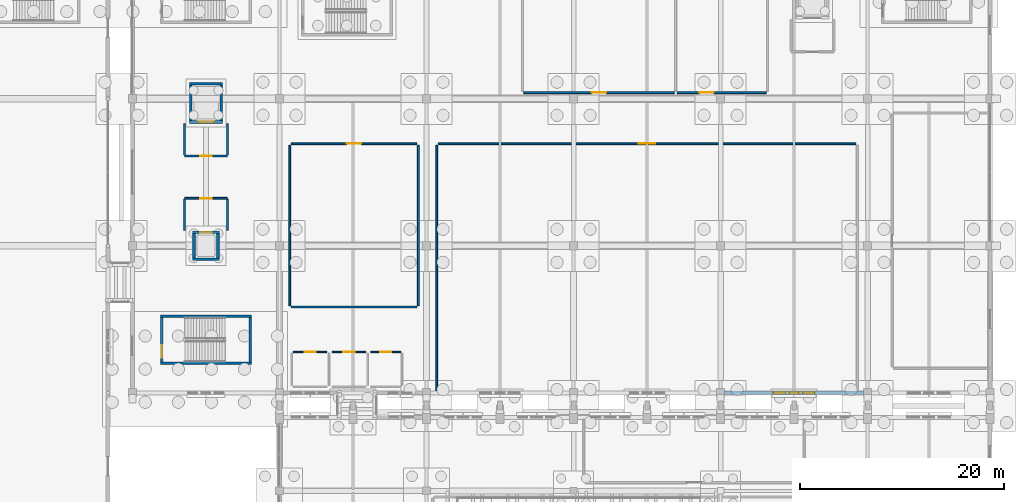
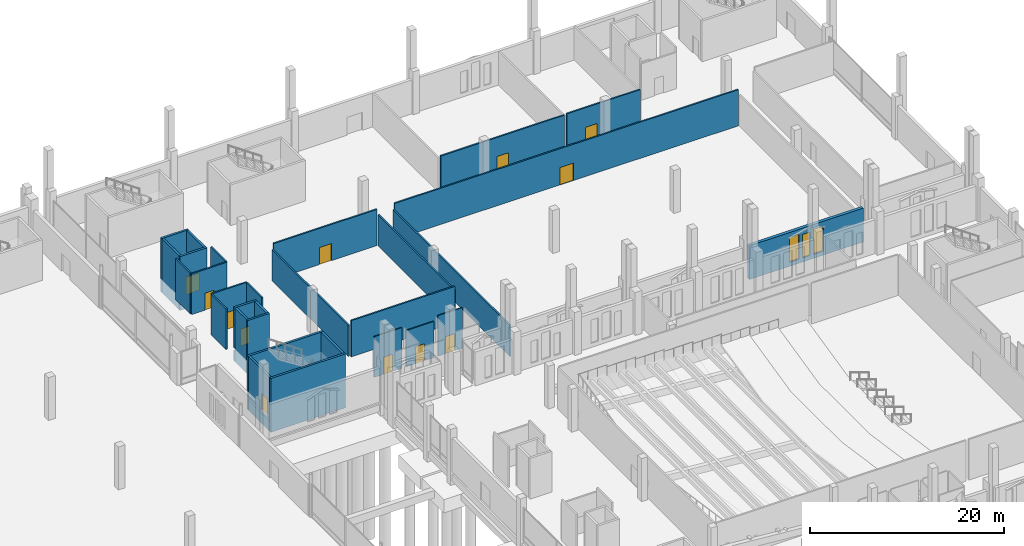
# One storey, part 146 of 192: 33 walls, 12 doors, 3 windows, 15 openings.
"""IFC4 building model written with IfcOpenShell, lengths in metres."""

from ifc_helpers import new_model, si_unit, direction, frame, frame_2d, origin, place, context, subcontext, project, spatial, rectangle, extrude, material, layer, layer_set, type_object, element, fill, save


model = new_model("IFC4")

# Units and contexts
model_context = context("Model", 3, precision=1e-05, world=origin(), true_north=direction((0.0, 1.0)))
body_context = subcontext(model_context, "Body", "Model", "MODEL_VIEW")
ifc_project = project(units=[si_unit("LENGTHUNIT", "METRE"), si_unit("AREAUNIT", "SQUARE_METRE"), si_unit("VOLUMEUNIT", "CUBIC_METRE"), si_unit("PLANEANGLEUNIT", "RADIAN"), si_unit("MASSUNIT", "GRAM", prefix="KILO")], contexts=[model_context])

# Site, building, storey
site_placement = place(None, origin())
site = spatial("IfcSite", under=ifc_project, at=site_placement, CompositionType="ELEMENT")
building_placement = place(site_placement, origin())
building = spatial("IfcBuilding", under=site, at=building_placement, Name="Cendralis Lancet Convention Centre", CompositionType="ELEMENT")
storey_placement = place(building_placement, origin())
storey = spatial("IfcBuildingStorey", under=building, at=storey_placement, Name="L00", CompositionType="ELEMENT", Elevation=0.0)

# Wall, openings, windows
ifc_material_1 = material(Name="Buff sandstone ashlar and Concrete G40 (C40/50)", Category="masonry")
ifc_layer_1 = layer(ifc_material_1, 0.360107421875, Name="Buff sandstone ashlar and Concrete G40 (C40/50)")
ifc_layer_set_1 = layer_set([ifc_layer_1], Name="Buff sandstone ashlar and Concrete G40 (C40/50)")
wall_type_1 = type_object("IfcWallType", Name="ARC-EW-W360", PredefinedType="STANDARD", material=ifc_layer_set_1)
wall_1_placement = place(storey_placement, frame((196.39208984375, 93.60009765625, 0.0), z_axis=(0.0, 0.0, 1.0), x_axis=(-1.0, 0.0, 0.0)))
wall_1 = element("IfcWall", 1, at=wall_1_placement, inside=storey, type_object=wall_type_1, Name="L00 V3 Exterior Wall EW-04 #0138", PredefinedType="STANDARD", context=body_context, shape_type="SweptSolid", body=[
    extrude(rectangle(XDim=13.583984375, YDim=0.360107421875, at=frame_2d((6.7919921875, 0.0))), origin(), (0.0, 0.0, 1.0), 4.2548828125),
])
opening_1_placement = place(wall_1_placement, frame((4.77197265625, 0.0, 0.5)))
opening_1 = element("IfcOpeningElement", 2, at=opening_1_placement, cuts=wall_1, Name="Opening WN-13", PredefinedType="OPENING", context=body_context, shape_type="SweptSolid", body=[
    extrude(rectangle(XDim=1.159912109375, YDim=3.14990234375, at=frame_2d((0.580078125, 1.574951171875))), frame((0.0, 0.18994140625, 0.0), z_axis=(0.0, -1.0, 0.0), x_axis=(1.0, 0.0, 0.0)), (0.0, 0.0, 1.0), 0.380126953125),
])
opening_2_placement = place(wall_1_placement, frame((6.35205078125, 0.0, 0.5)))
opening_2 = element("IfcOpeningElement", 3, at=opening_2_placement, cuts=wall_1, Name="Opening WN-08", PredefinedType="OPENING", context=body_context, shape_type="SweptSolid", body=[
    extrude(rectangle(XDim=0.8798828125, YDim=2.949951171875, at=frame_2d((0.43994140625, 1.47509765625))), frame((0.0, 0.18994140625, 0.0), z_axis=(0.0, -1.0, 0.0), x_axis=(1.0, 0.0, 0.0)), (0.0, 0.0, 1.0), 0.380126953125),
])
opening_3_placement = place(wall_1_placement, frame((7.652099609375, 0.0, 0.5)))
opening_3 = element("IfcOpeningElement", 4, at=opening_3_placement, cuts=wall_1, Name="Opening WN-13", PredefinedType="OPENING", context=body_context, shape_type="SweptSolid", body=[
    extrude(rectangle(XDim=1.159912109375, YDim=3.14990234375, at=frame_2d((0.580078125, 1.574951171875))), frame((0.0, 0.18994140625, 0.0), z_axis=(0.0, -1.0, 0.0), x_axis=(1.0, 0.0, 0.0)), (0.0, 0.0, 1.0), 0.380126953125),
])
ifc_material_2 = material(Name="Double-glazed low-E solar-control glass", Category="glass")
window_type_1 = type_object("IfcWindowType", Name="ARC-WN-LW08", PartitioningType="SINGLE_PANEL", PredefinedType="WINDOW", material=ifc_material_2)
window_1_placement = place(opening_2_placement, origin())
window_1 = element("IfcWindow", 5, at=window_1_placement, inside=storey, type_object=window_type_1, Name="Gothic Lancet Window WN-08 #0267", OverallHeight=2.949951171875, OverallWidth=0.8798828125, PartitioningType="SINGLE_PANEL", PredefinedType="WINDOW", context=body_context, shape_type="SweptSolid", body=[
    extrude(rectangle(XDim=0.8798828125, YDim=2.949951171875, at=frame_2d((0.43994140625, 1.47509765625))), frame((0.0, 0.030029296875, 0.0), z_axis=(0.0, -1.0, 0.0), x_axis=(1.0, 0.0, 0.0)), (0.0, 0.0, 1.0), 0.06005859375),
])
fill(opening_2, window_1)
window_type_2 = type_object("IfcWindowType", Name="ARC-WN-LW13", PartitioningType="SINGLE_PANEL", PredefinedType="WINDOW", material=ifc_material_2)
window_2_placement = place(opening_1_placement, origin())
window_2 = element("IfcWindow", 6, at=window_2_placement, inside=storey, type_object=window_type_2, Name="Gothic Lancet Window WN-13 #0266", OverallHeight=3.14990234375, OverallWidth=1.159912109375, PartitioningType="SINGLE_PANEL", PredefinedType="WINDOW", context=body_context, shape_type="SweptSolid", body=[
    extrude(rectangle(XDim=1.159912109375, YDim=3.14990234375, at=frame_2d((0.580078125, 1.574951171875))), frame((0.0, 0.030029296875, 0.0), z_axis=(0.0, -1.0, 0.0), x_axis=(1.0, 0.0, 0.0)), (0.0, 0.0, 1.0), 0.06005859375),
])
fill(opening_1, window_2)
window_3_placement = place(opening_3_placement, origin())
window_3 = element("IfcWindow", 7, at=window_3_placement, inside=storey, type_object=window_type_2, Name="Gothic Lancet Window WN-13 #0268", OverallHeight=3.14990234375, OverallWidth=1.159912109375, PartitioningType="SINGLE_PANEL", PredefinedType="WINDOW", context=body_context, shape_type="SweptSolid", body=[
    extrude(rectangle(XDim=1.159912109375, YDim=3.14990234375, at=frame_2d((0.580078125, 1.574951171875))), frame((0.0, 0.030029296875, 0.0), z_axis=(0.0, -1.0, 0.0), x_axis=(1.0, 0.0, 0.0)), (0.0, 0.0, 1.0), 0.06005859375),
])
fill(opening_3, window_3)

# Wall, opening, door
ifc_material_3 = material(Name="Acoustic fire-rated gypsum board on steel studs", Category="steel")
ifc_layer_2 = layer(ifc_material_3, 0.1201171875, Name="Acoustic fire-rated gypsum board on steel studs")
ifc_layer_set_2 = layer_set([ifc_layer_2], Name="Acoustic fire-rated gypsum board on steel studs")
wall_type_2 = type_object("IfcWallType", Name="ARC-IW-P120", PredefinedType="PARTITIONING", material=ifc_layer_set_2)
wall_2_placement = place(storey_placement, frame((140.550048828125, 97.60009765625, 0.0), z_axis=(0.0, 0.0, 1.0), x_axis=(1.0, 0.0, 0.0)))
wall_2 = element("IfcWall", 8, at=wall_2_placement, inside=storey, type_object=wall_type_2, Name="L00 Interior Partition IW-05 #0150", PredefinedType="PARTITIONING", context=body_context, shape_type="SweptSolid", body=[
    extrude(rectangle(XDim=3.300048828125, YDim=0.1201171875, at=frame_2d((1.64990234375, 0.0))), origin(), (0.0, 0.0, 1.0), 5.10498046875),
])
opening_4_placement = place(wall_2_placement, frame((1.10009765625, 0.0, 0.0)))
opening_4 = element("IfcOpeningElement", 9, at=opening_4_placement, cuts=wall_2, Name="Opening FD-11", PredefinedType="OPENING", context=body_context, shape_type="SweptSolid", body=[
    extrude(rectangle(XDim=1.10009765625, YDim=2.14990234375, at=frame_2d((0.550048828125, 1.074951171875))), frame((0.0, 0.070068359375, 0.0), z_axis=(0.0, -1.0, 0.0), x_axis=(1.0, 0.0, 0.0)), (0.0, 0.0, 1.0), 0.14013671875),
])
ifc_material_4 = material(Name="Steel S355", Category="steel")
door_type_1 = type_object("IfcDoorType", Name="ARC-DR-FF11", OperationType="NOTDEFINED", PredefinedType="DOOR", material=ifc_material_4)
door_1_placement = place(opening_4_placement, origin())
door_1 = element("IfcDoor", 10, at=door_1_placement, inside=storey, type_object=door_type_1, Name="L00-D071 L00 Interior Door FD-11 #0050", OperationType="SINGLE_SWING_RIGHT", OverallHeight=2.14990234375, OverallWidth=1.10009765625, PredefinedType="DOOR", context=body_context, shape_type="SweptSolid", body=[
    extrude(rectangle(XDim=1.10009765625, YDim=2.14990234375, at=frame_2d((0.550048828125, 1.074951171875))), frame((0.0, 0.02490234375, 0.0), z_axis=(0.0, -1.0, 0.0), x_axis=(1.0, 0.0, 0.0)), (0.0, 0.0, 1.0), 0.050048828125),
])
fill(opening_4, door_1)

wall_3_placement = place(storey_placement, frame((144.35009765625, 97.60009765625, 0.0), z_axis=(0.0, 0.0, 1.0), x_axis=(1.0, 0.0, 0.0)))
wall_3 = element("IfcWall", 11, at=wall_3_placement, inside=storey, type_object=wall_type_2, Name="L00 Interior Partition IW-05 #0154", PredefinedType="PARTITIONING", context=body_context, shape_type="SweptSolid", body=[
    extrude(rectangle(XDim=3.2998046875, YDim=0.1201171875, at=frame_2d((1.64990234375, 0.0))), origin(), (0.0, 0.0, 1.0), 4.554931640625),
])
opening_5_placement = place(wall_3_placement, frame((1.10009765625, 0.0, 0.0)))
opening_5 = element("IfcOpeningElement", 12, at=opening_5_placement, cuts=wall_3, Name="Opening FD-11", PredefinedType="OPENING", context=body_context, shape_type="SweptSolid", body=[
    extrude(rectangle(XDim=1.10009765625, YDim=2.14990234375, at=frame_2d((0.550048828125, 1.074951171875))), frame((0.0, 0.070068359375, 0.0), z_axis=(0.0, -1.0, 0.0), x_axis=(1.0, 0.0, 0.0)), (0.0, 0.0, 1.0), 0.14013671875),
])
door_2_placement = place(opening_5_placement, frame((1.10009765625, 0.0, 0.0), z_axis=(0.0, 0.0, 1.0), x_axis=(-1.0, 0.0, 0.0)))
door_2 = element("IfcDoor", 13, at=door_2_placement, inside=storey, type_object=door_type_1, Name="L00-D072 L00 Interior Door FD-11 #0051", OperationType="SINGLE_SWING_LEFT", OverallHeight=2.14990234375, OverallWidth=1.10009765625, PredefinedType="DOOR", context=body_context, shape_type="SweptSolid", body=[
    extrude(rectangle(XDim=1.10009765625, YDim=2.14990234375, at=frame_2d((0.550048828125, 1.074951171875))), frame((0.0, 0.02490234375, 0.0), z_axis=(0.0, -1.0, 0.0), x_axis=(1.0, 0.0, 0.0)), (0.0, 0.0, 1.0), 0.050048828125),
])
fill(opening_5, door_2)

wall_4_placement = place(storey_placement, frame((148.14990234375, 97.60009765625, 0.0), z_axis=(0.0, 0.0, 1.0), x_axis=(1.0, 0.0, 0.0)))
wall_4 = element("IfcWall", 14, at=wall_4_placement, inside=storey, type_object=wall_type_2, Name="L00 Interior Partition IW-05 #0157", PredefinedType="PARTITIONING", context=body_context, shape_type="SweptSolid", body=[
    extrude(rectangle(XDim=2.900146484375, YDim=0.1201171875, at=frame_2d((1.4501953125, 0.0))), origin(), (0.0, 0.0, 1.0), 5.10498046875),
])
opening_6_placement = place(wall_4_placement, frame((0.89990234375, 0.0, 0.0)))
opening_6 = element("IfcOpeningElement", 15, at=opening_6_placement, cuts=wall_4, Name="Opening FD-11", PredefinedType="OPENING", context=body_context, shape_type="SweptSolid", body=[
    extrude(rectangle(XDim=1.10009765625, YDim=2.14990234375, at=frame_2d((0.550048828125, 1.074951171875))), frame((0.0, 0.070068359375, 0.0), z_axis=(0.0, -1.0, 0.0), x_axis=(1.0, 0.0, 0.0)), (0.0, 0.0, 1.0), 0.14013671875),
])
door_3_placement = place(opening_6_placement, origin())
door_3 = element("IfcDoor", 16, at=door_3_placement, inside=storey, type_object=door_type_1, Name="L00-D073 L00 Interior Door FD-11 #0052", OperationType="SINGLE_SWING_RIGHT", OverallHeight=2.14990234375, OverallWidth=1.10009765625, PredefinedType="DOOR", context=body_context, shape_type="SweptSolid", body=[
    extrude(rectangle(XDim=1.10009765625, YDim=2.14990234375, at=frame_2d((0.550048828125, 1.074951171875))), frame((0.0, 0.02490234375, 0.0), z_axis=(0.0, -1.0, 0.0), x_axis=(1.0, 0.0, 0.0)), (0.0, 0.0, 1.0), 0.050048828125),
])
fill(opening_6, door_3)

ifc_layer_3 = layer(ifc_material_3, 0.179931640625, Name="Acoustic fire-rated gypsum board on steel studs")
ifc_layer_set_3 = layer_set([ifc_layer_3], Name="Acoustic fire-rated gypsum board on steel studs")
wall_type_3 = type_object("IfcWallType", Name="ARC-IW-P180", PredefinedType="PARTITIONING", material=ifc_layer_set_3)
wall_5_placement = place(storey_placement, frame((129.89990234375, 112.64990234375, 0.0), z_axis=(0.0, 0.0, 1.0), x_axis=(1.0, 0.0, 0.0)))
wall_5 = element("IfcWall", 17, at=wall_5_placement, inside=storey, type_object=wall_type_3, Name="L00 Lift Lobby LP-07 Front Wall", PredefinedType="PARTITIONING", context=body_context, shape_type="SweptSolid", body=[
    extrude(rectangle(XDim=4.2001953125, YDim=0.179931640625, at=frame_2d((2.10009765625, 0.0))), origin(), (0.0, 0.0, 1.0), 5.1201171875),
])
opening_7_placement = place(wall_5_placement, frame((1.550048828125, 0.0, 0.0)))
opening_7 = element("IfcOpeningElement", 18, at=opening_7_placement, cuts=wall_5, Name="Opening FD-11", PredefinedType="OPENING", context=body_context, shape_type="SweptSolid", body=[
    extrude(rectangle(XDim=1.10009765625, YDim=2.14990234375, at=frame_2d((0.550048828125, 1.074951171875))), frame((0.0, 0.099853515625, 0.0), z_axis=(0.0, -1.0, 0.0), x_axis=(1.0, 0.0, 0.0)), (0.0, 0.0, 1.0), 0.199951171875),
])
door_4_placement = place(opening_7_placement, origin())
door_4 = element("IfcDoor", 19, at=door_4_placement, inside=storey, type_object=door_type_1, Name="L00-D116 L00 Lift Lobby LP-07 Fire Door", OperationType="SINGLE_SWING_RIGHT", OverallHeight=2.14990234375, OverallWidth=1.10009765625, PredefinedType="DOOR", context=body_context, shape_type="SweptSolid", body=[
    extrude(rectangle(XDim=1.10009765625, YDim=2.14990234375, at=frame_2d((0.550048828125, 1.074951171875))), frame((0.0, 0.02490234375, 0.0), z_axis=(0.0, -1.0, 0.0), x_axis=(1.0, 0.0, 0.0)), (0.0, 0.0, 1.0), 0.050048828125),
])
fill(opening_7, door_4)

# Walls
for number, where, z_axis, x_axis, name in (
    (20, (129.89990234375, 109.5, 0.0), (0.0, 0.0, 1.0), (0.0, 1.0, 0.0), "L00 Lift Lobby LP-07 West Wall"),
    (21, (134.10009765625, 109.5, 0.0), (0.0, 0.0, 1.0), (0.0, 1.0, 0.0), "L00 Lift Lobby LP-07 East Wall"),
):
    element("IfcWall", number, at=place(storey_placement, frame(where, z_axis=z_axis, x_axis=x_axis)), inside=storey, type_object=wall_type_3, Name=name, PredefinedType="PARTITIONING", context=body_context, shape_type="SweptSolid", body=[
        extrude(rectangle(XDim=3.050048828125, YDim=0.179931640625, at=frame_2d((1.52490234375, 0.0))), origin(), (0.0, 0.0, 1.0), 5.1201171875),
    ])

# Wall, opening, door
wall_6_placement = place(storey_placement, frame((134.10009765625, 116.800048828125, 0.0), z_axis=(0.0, 0.0, 1.0), x_axis=(-1.0, 0.0, 0.0)))
wall_6 = element("IfcWall", 22, at=wall_6_placement, inside=storey, type_object=wall_type_3, Name="L00 Lift Lobby LG-02 Front Wall", PredefinedType="PARTITIONING", context=body_context, shape_type="SweptSolid", body=[
    extrude(rectangle(XDim=4.2001953125, YDim=0.179931640625, at=frame_2d((2.10009765625, 0.0))), origin(), (0.0, 0.0, 1.0), 5.1201171875),
])
opening_8_placement = place(wall_6_placement, frame((1.550048828125, 0.0, 0.0)))
opening_8 = element("IfcOpeningElement", 23, at=opening_8_placement, cuts=wall_6, Name="Opening FD-11", PredefinedType="OPENING", context=body_context, shape_type="SweptSolid", body=[
    extrude(rectangle(XDim=1.10009765625, YDim=2.14990234375, at=frame_2d((0.550048828125, 1.074951171875))), frame((0.0, 0.099853515625, 0.0), z_axis=(0.0, -1.0, 0.0), x_axis=(1.0, 0.0, 0.0)), (0.0, 0.0, 1.0), 0.199951171875),
])
door_5_placement = place(opening_8_placement, origin())
door_5 = element("IfcDoor", 24, at=door_5_placement, inside=storey, type_object=door_type_1, Name="L00-D107 L00 Lift Lobby LG-02 Fire Door", OperationType="SINGLE_SWING_RIGHT", OverallHeight=2.14990234375, OverallWidth=1.10009765625, PredefinedType="DOOR", context=body_context, shape_type="SweptSolid", body=[
    extrude(rectangle(XDim=1.10009765625, YDim=2.14990234375, at=frame_2d((0.550048828125, 1.074951171875))), frame((0.0, 0.02490234375, 0.0), z_axis=(0.0, -1.0, 0.0), x_axis=(1.0, 0.0, 0.0)), (0.0, 0.0, 1.0), 0.050048828125),
])
fill(opening_8, door_5)

# Walls
for number, where, z_axis, x_axis, name in (
    (25, (129.89990234375, 116.89990234375, 0.0), (0.0, 0.0, 1.0), (0.0, 1.0, 0.0), "L00 Lift Lobby LG-02 West Wall"),
    (26, (134.10009765625, 116.89990234375, 0.0), (0.0, 0.0, 1.0), (0.0, 1.0, 0.0), "L00 Lift Lobby LG-02 East Wall"),
):
    element("IfcWall", number, at=place(storey_placement, frame(where, z_axis=z_axis, x_axis=x_axis)), inside=storey, type_object=wall_type_3, Name=name, PredefinedType="PARTITIONING", context=body_context, shape_type="SweptSolid", body=[
        extrude(rectangle(XDim=3.050048828125, YDim=0.179931640625, at=frame_2d((1.52490234375, 0.0))), origin(), (0.0, 0.0, 1.0), 5.1201171875),
    ])

# Wall, opening, door
wall_7_placement = place(storey_placement, frame((154.739990234375, 118.0, 0.0), z_axis=(0.0, 0.0, 1.0), x_axis=(1.0, 0.0, 0.0)))
wall_7 = element("IfcWall", 27, at=wall_7_placement, inside=storey, type_object=wall_type_3, Name="L00 Interior Partition IW-02 #0135", PredefinedType="PARTITIONING", context=body_context, shape_type="SweptSolid", body=[
    extrude(rectangle(XDim=40.919921875, YDim=0.179931640625, at=frame_2d((20.4599609375, 0.0))), origin(), (0.0, 0.0, 1.0), 4.554931640625),
])
opening_9_placement = place(wall_7_placement, frame((19.659912109375, 0.0, 0.0)))
opening_9 = element("IfcOpeningElement", 28, at=opening_9_placement, cuts=wall_7, Name="Opening ID-16", PredefinedType="OPENING", context=body_context, shape_type="SweptSolid", body=[
    extrude(rectangle(XDim=1.60009765625, YDim=2.199951171875, at=frame_2d((0.800048828125, 1.10009765625))), frame((0.0, 0.099853515625, 0.0), z_axis=(0.0, -1.0, 0.0), x_axis=(1.0, 0.0, 0.0)), (0.0, 0.0, 1.0), 0.199951171875),
])
ifc_material_5 = material(Name="Acoustic Chilean lenga timber and steel fire leaf", Category="steel")
door_type_2 = type_object("IfcDoorType", Name="ARC-DR-DB16", OperationType="NOTDEFINED", PredefinedType="DOOR", material=ifc_material_5)
door_6_placement = place(opening_9_placement, frame((1.60009765625, 0.0, 0.0), z_axis=(0.0, 0.0, 1.0), x_axis=(-1.0, 0.0, 0.0)))
door_6 = element("IfcDoor", 29, at=door_6_placement, inside=storey, type_object=door_type_2, Name="L00-D066 L00 Interior Door ID-16 #0045", OperationType="DOUBLE_DOOR_SINGLE_SWING", OverallHeight=2.199951171875, OverallWidth=1.60009765625, PredefinedType="DOOR", context=body_context, shape_type="SweptSolid", body=[
    extrude(rectangle(XDim=1.60009765625, YDim=2.199951171875, at=frame_2d((0.800048828125, 1.10009765625))), frame((0.0, 0.02490234375, 0.0), z_axis=(0.0, -1.0, 0.0), x_axis=(1.0, 0.0, 0.0)), (0.0, 0.0, 1.0), 0.050048828125),
])
fill(opening_9, door_6)

# Walls
wall_8_placement = place(storey_placement, frame((154.60009765625, 93.7900390625, 0.0), z_axis=(0.0, 0.0, 1.0), x_axis=(0.0, 1.0, 0.0)))
element("IfcWall", 30, at=wall_8_placement, inside=storey, type_object=wall_type_3, Name="L00 Interior Partition IW-02 #0136", PredefinedType="PARTITIONING", context=body_context, shape_type="SweptSolid", body=[
    extrude(rectangle(XDim=24.070068359375, YDim=0.179931640625, at=frame_2d((12.03515625, 0.0))), origin(), (0.0, 0.0, 1.0), 3.905029296875),
])
wall_9_placement = place(storey_placement, frame((140.340087890625, 102.0, 0.0), z_axis=(0.0, 0.0, 1.0), x_axis=(1.0, 0.0, 0.0)))
element("IfcWall", 31, at=wall_9_placement, inside=storey, type_object=wall_type_3, Name="L00 Interior Partition IW-02 #0138", PredefinedType="PARTITIONING", context=body_context, shape_type="SweptSolid", body=[
    extrude(rectangle(XDim=12.31982421875, YDim=0.179931640625, at=frame_2d((6.159912109375, 0.0))), origin(), (0.0, 0.0, 1.0), 4.554931640625),
])

# Wall, opening, door
wall_10_placement = place(storey_placement, frame((140.340087890625, 118.0, 0.0), z_axis=(0.0, 0.0, 1.0), x_axis=(1.0, 0.0, 0.0)))
wall_10 = element("IfcWall", 32, at=wall_10_placement, inside=storey, type_object=wall_type_3, Name="L00 Interior Partition IW-02 #0139", PredefinedType="PARTITIONING", context=body_context, shape_type="SweptSolid", body=[
    extrude(rectangle(XDim=12.31982421875, YDim=0.179931640625, at=frame_2d((6.159912109375, 0.0))), origin(), (0.0, 0.0, 1.0), 4.554931640625),
])
opening_10_placement = place(wall_10_placement, frame((5.4599609375, 0.0, 0.0)))
opening_10 = element("IfcOpeningElement", 33, at=opening_10_placement, cuts=wall_10, Name="Opening ID-14", PredefinedType="OPENING", context=body_context, shape_type="SweptSolid", body=[
    extrude(rectangle(XDim=1.39990234375, YDim=2.14990234375, at=frame_2d((0.699951171875, 1.074951171875))), frame((0.0, 0.099853515625, 0.0), z_axis=(0.0, -1.0, 0.0), x_axis=(1.0, 0.0, 0.0)), (0.0, 0.0, 1.0), 0.199951171875),
])
door_type_3 = type_object("IfcDoorType", Name="ARC-DR-DB14", OperationType="NOTDEFINED", PredefinedType="DOOR", material=ifc_material_5)
door_7_placement = place(opening_10_placement, origin())
door_7 = element("IfcDoor", 34, at=door_7_placement, inside=storey, type_object=door_type_3, Name="L00-D067 L00 Interior Door ID-14 #0046", OperationType="DOUBLE_DOOR_SINGLE_SWING", OverallHeight=2.14990234375, OverallWidth=1.39990234375, PredefinedType="DOOR", context=body_context, shape_type="SweptSolid", body=[
    extrude(rectangle(XDim=1.39990234375, YDim=2.14990234375, at=frame_2d((0.699951171875, 1.074951171875))), frame((0.0, 0.02490234375, 0.0), z_axis=(0.0, -1.0, 0.0), x_axis=(1.0, 0.0, 0.0)), (0.0, 0.0, 1.0), 0.050048828125),
])
fill(opening_10, door_7)

# Walls
for number, where, z_axis, x_axis, name in (
    (35, (140.199951171875, 102.139892578125, 0.0), (0.0, 0.0, 1.0), (0.0, 1.0, 0.0), "L00 Interior Partition IW-02 #0140"),
    (36, (152.800048828125, 102.139892578125, 0.0), (0.0, 0.0, 1.0), (0.0, 1.0, 0.0), "L00 Interior Partition IW-02 #0141"),
):
    element("IfcWall", number, at=place(storey_placement, frame(where, z_axis=z_axis, x_axis=x_axis)), inside=storey, type_object=wall_type_3, Name=name, PredefinedType="PARTITIONING", context=body_context, shape_type="SweptSolid", body=[
        extrude(rectangle(XDim=15.72021484375, YDim=0.179931640625, at=frame_2d((7.860107421875, 0.0))), origin(), (0.0, 0.0, 1.0), 3.905029296875),
    ])

# Wall, opening, door
wall_11_placement = place(storey_placement, frame((163.139892578125, 123.0, 0.0), z_axis=(0.0, 0.0, 1.0), x_axis=(1.0, 0.0, 0.0)))
wall_11 = element("IfcWall", 37, at=wall_11_placement, inside=storey, type_object=wall_type_3, Name="L00 Interior Partition IW-02 #0142", PredefinedType="PARTITIONING", context=body_context, shape_type="SweptSolid", body=[
    extrude(rectangle(XDim=14.72021484375, YDim=0.179931640625, at=frame_2d((7.360107421875, 0.0))), origin(), (0.0, 0.0, 1.0), 4.554931640625),
])
opening_11_placement = place(wall_11_placement, frame((6.659912109375, 0.0, 0.0)))
opening_11 = element("IfcOpeningElement", 38, at=opening_11_placement, cuts=wall_11, Name="Opening ID-14", PredefinedType="OPENING", context=body_context, shape_type="SweptSolid", body=[
    extrude(rectangle(XDim=1.39990234375, YDim=2.14990234375, at=frame_2d((0.699951171875, 1.074951171875))), frame((0.0, 0.099853515625, 0.0), z_axis=(0.0, -1.0, 0.0), x_axis=(1.0, 0.0, 0.0)), (0.0, 0.0, 1.0), 0.199951171875),
])
door_8_placement = place(opening_11_placement, frame((1.39990234375, 0.0, 0.0), z_axis=(0.0, 0.0, 1.0), x_axis=(-1.0, 0.0, 0.0)))
door_8 = element("IfcDoor", 39, at=door_8_placement, inside=storey, type_object=door_type_3, Name="L00-D068 L00 Interior Door ID-14 #0047", OperationType="DOUBLE_DOOR_SINGLE_SWING", OverallHeight=2.14990234375, OverallWidth=1.39990234375, PredefinedType="DOOR", context=body_context, shape_type="SweptSolid", body=[
    extrude(rectangle(XDim=1.39990234375, YDim=2.14990234375, at=frame_2d((0.699951171875, 1.074951171875))), frame((0.0, 0.02490234375, 0.0), z_axis=(0.0, -1.0, 0.0), x_axis=(1.0, 0.0, 0.0)), (0.0, 0.0, 1.0), 0.050048828125),
])
fill(opening_11, door_8)

wall_12_placement = place(storey_placement, frame((178.139892578125, 123.0, 0.0), z_axis=(0.0, 0.0, 1.0), x_axis=(1.0, 0.0, 0.0)))
wall_12 = element("IfcWall", 40, at=wall_12_placement, inside=storey, type_object=wall_type_3, Name="L00 Interior Partition IW-02 #0145", PredefinedType="PARTITIONING", context=body_context, shape_type="SweptSolid", body=[
    extrude(rectangle(XDim=8.72021484375, YDim=0.179931640625, at=frame_2d((4.360107421875, 0.0))), origin(), (0.0, 0.0, 1.0), 4.614990234375),
])
opening_12_placement = place(wall_12_placement, frame((2.196044921875, 0.0, 0.0)))
opening_12 = element("IfcOpeningElement", 41, at=opening_12_placement, cuts=wall_12, Name="Opening ID-14", PredefinedType="OPENING", context=body_context, shape_type="SweptSolid", body=[
    extrude(rectangle(XDim=1.39990234375, YDim=2.14990234375, at=frame_2d((0.699951171875, 1.074951171875))), frame((0.0, 0.099853515625, 0.0), z_axis=(0.0, -1.0, 0.0), x_axis=(1.0, 0.0, 0.0)), (0.0, 0.0, 1.0), 0.199951171875),
])
door_9_placement = place(opening_12_placement, origin())
door_9 = element("IfcDoor", 42, at=door_9_placement, inside=storey, type_object=door_type_3, Name="L00-D069 L00 Interior Door ID-14 #0048", OperationType="DOUBLE_DOOR_SINGLE_SWING", OverallHeight=2.14990234375, OverallWidth=1.39990234375, PredefinedType="DOOR", context=body_context, shape_type="SweptSolid", body=[
    extrude(rectangle(XDim=1.39990234375, YDim=2.14990234375, at=frame_2d((0.699951171875, 1.074951171875))), frame((0.0, 0.02490234375, 0.0), z_axis=(0.0, -1.0, 0.0), x_axis=(1.0, 0.0, 0.0)), (0.0, 0.0, 1.0), 0.050048828125),
])
fill(opening_12, door_9)

# Wall
ifc_material_6 = material(Name="Concrete G40 (C40/50)", Category="concrete")
ifc_layer_4 = layer(ifc_material_6, 0.25, Name="Concrete G40 (C40/50)")
ifc_layer_set_4 = layer_set([ifc_layer_4], Name="Concrete G40 (C40/50)")
wall_type_4 = type_object("IfcWallType", Name="STR-SW-CW250", PredefinedType="SHEAR", material=ifc_layer_set_4)
wall_13_placement = place(storey_placement, frame((127.675048828125, 96.60009765625, -1.64990234375), z_axis=(0.0, 0.0, 1.0), x_axis=(0.0, 1.0, 0.0)))
element("IfcWall", 43, at=wall_13_placement, inside=storey, type_object=wall_type_4, Name="L00 Stair Core ST-07 West Base Stem", PredefinedType="SHEAR", context=body_context, shape_type="SweptSolid", body=[
    extrude(rectangle(XDim=4.3798828125, YDim=0.25, at=frame_2d((2.18994140625, 0.0))), origin(), (0.0, 0.0, 1.0), 1.309814453125),
])

# Wall, opening, door
wall_14_placement = place(storey_placement, frame((127.675048828125, 96.60009765625, 0.0), z_axis=(0.0, 0.0, 1.0), x_axis=(0.0, 1.0, 0.0)))
wall_14 = element("IfcWall", 44, at=wall_14_placement, inside=storey, type_object=wall_type_4, Name="L00 Stair Core ST-07 West Shear Wall", PredefinedType="SHEAR", context=body_context, shape_type="SweptSolid", body=[
    extrude(rectangle(XDim=4.3798828125, YDim=0.25, at=frame_2d((2.18994140625, 0.0))), origin(), (0.0, 0.0, 1.0), 5.1201171875),
])
opening_13_placement = place(wall_14_placement, frame((0.449951171875, 0.0, 0.0)))
opening_13 = element("IfcOpeningElement", 45, at=opening_13_placement, cuts=wall_14, Name="Opening SD-12", PredefinedType="OPENING", context=body_context, shape_type="SweptSolid", body=[
    extrude(rectangle(XDim=1.199951171875, YDim=2.14990234375, at=frame_2d((0.60009765625, 1.074951171875))), frame((0.0, 0.135009765625, 0.0), z_axis=(0.0, -1.0, 0.0), x_axis=(1.0, 0.0, 0.0)), (0.0, 0.0, 1.0), 0.27001953125),
])
door_type_4 = type_object("IfcDoorType", Name="ARC-DR-ST12", OperationType="NOTDEFINED", PredefinedType="DOOR", material=ifc_material_4)
door_10_placement = place(opening_13_placement, origin())
door_10 = element("IfcDoor", 46, at=door_10_placement, inside=storey, type_object=door_type_4, Name="L00-D124 L00 Exit Stair ST-07 Fire Door", OperationType="SINGLE_SWING_LEFT", OverallHeight=2.14990234375, OverallWidth=1.199951171875, PredefinedType="DOOR", context=body_context, shape_type="SweptSolid", body=[
    extrude(rectangle(XDim=1.199951171875, YDim=2.14990234375, at=frame_2d((0.60009765625, 1.074951171875))), frame((0.0, 0.02490234375, 0.0), z_axis=(0.0, -1.0, 0.0), x_axis=(1.0, 0.0, 0.0)), (0.0, 0.0, 1.0), 0.050048828125),
])
fill(opening_13, door_10)

# Walls
wall_15_placement = place(storey_placement, frame((136.324951171875, 96.60009765625, -1.64990234375), z_axis=(0.0, 0.0, 1.0), x_axis=(0.0, 1.0, 0.0)))
element("IfcWall", 47, at=wall_15_placement, inside=storey, type_object=wall_type_4, Name="L00 Stair Core ST-07 East Shear Wall", PredefinedType="SHEAR", context=body_context, shape_type="SweptSolid", body=[
    extrude(rectangle(XDim=4.3798828125, YDim=0.25, at=frame_2d((2.18994140625, 0.0))), origin(), (0.0, 0.0, 1.0), 6.77001953125),
])
for number, where, z_axis, x_axis, name in (
    (48, (127.550048828125, 96.47509765625, -1.64990234375), (0.0, 0.0, 1.0), (1.0, 0.0, 0.0), "L00 Stair Core ST-07 South Shear Wall"),
    (49, (127.550048828125, 101.10498046875, -1.64990234375), (0.0, 0.0, 1.0), (1.0, 0.0, 0.0), "L00 Stair Core ST-07 North Shear Wall"),
):
    element("IfcWall", number, at=place(storey_placement, frame(where, z_axis=z_axis, x_axis=x_axis)), inside=storey, type_object=wall_type_4, Name=name, PredefinedType="SHEAR", context=body_context, shape_type="SweptSolid", body=[
        extrude(rectangle(XDim=8.89990234375, YDim=0.25, at=frame_2d((4.449951171875, 0.0))), origin(), (0.0, 0.0, 1.0), 6.77001953125),
    ])
wall_16_placement = place(storey_placement, frame((130.699951171875, 109.324951171875, -1.64990234375), z_axis=(0.0, 0.0, 1.0), x_axis=(1.0, 0.0, 0.0)))
element("IfcWall", 50, at=wall_16_placement, inside=storey, type_object=wall_type_4, Name="L00 Lift LP-07 Base Stem", PredefinedType="SHEAR", context=body_context, shape_type="SweptSolid", body=[
    extrude(rectangle(XDim=2.60009765625, YDim=0.25, at=frame_2d((1.300048828125, 0.0))), origin(), (0.0, 0.0, 1.0), 1.309814453125),
])
wall_17_placement = place(storey_placement, frame((130.699951171875, 106.675048828125, -1.64990234375), z_axis=(0.0, 0.0, 1.0), x_axis=(1.0, 0.0, 0.0)))
element("IfcWall", 51, at=wall_17_placement, inside=storey, type_object=wall_type_4, Name="L00 Lift LP-07 South Shaft Wall", PredefinedType="SHEAR", context=body_context, shape_type="SweptSolid", body=[
    extrude(rectangle(XDim=2.60009765625, YDim=0.25, at=frame_2d((1.300048828125, 0.0))), origin(), (0.0, 0.0, 1.0), 6.77001953125),
])

# Wall, opening, door
wall_18_placement = place(storey_placement, frame((130.699951171875, 109.324951171875, 0.0), z_axis=(0.0, 0.0, 1.0), x_axis=(1.0, 0.0, 0.0)))
wall_18 = element("IfcWall", 52, at=wall_18_placement, inside=storey, type_object=wall_type_4, Name="L00 Lift LP-07 North Shaft Wall", PredefinedType="SHEAR", context=body_context, shape_type="SweptSolid", body=[
    extrude(rectangle(XDim=2.60009765625, YDim=0.25, at=frame_2d((1.300048828125, 0.0))), origin(), (0.0, 0.0, 1.0), 5.1201171875),
])
opening_14_placement = place(wall_18_placement, frame((0.75, 0.0, 0.0)))
opening_14 = element("IfcOpeningElement", 53, at=opening_14_placement, cuts=wall_18, Name="Opening LD-11", PredefinedType="OPENING", context=body_context, shape_type="SweptSolid", body=[
    extrude(rectangle(XDim=1.10009765625, YDim=2.14990234375, at=frame_2d((0.550048828125, 1.074951171875))), frame((0.0, 0.135009765625, 0.0), z_axis=(0.0, -1.0, 0.0), x_axis=(1.0, 0.0, 0.0)), (0.0, 0.0, 1.0), 0.27001953125),
])
ifc_material_7 = material(Name="Anodised bronze architectural aluminium", Category="aluminium")
door_type_5 = type_object("IfcDoorType", Name="ARC-DR-LD11", OperationType="NOTDEFINED", PredefinedType="DOOR", material=ifc_material_7)
door_11_placement = place(opening_14_placement, origin())
door_11 = element("IfcDoor", 54, at=door_11_placement, inside=storey, type_object=door_type_5, Name="L00-D102 L00 Lift LP-07 Sliding Landing Door", OperationType="SLIDING_TO_RIGHT", OverallHeight=2.14990234375, OverallWidth=1.10009765625, PredefinedType="DOOR", context=body_context, shape_type="SweptSolid", body=[
    extrude(rectangle(XDim=1.10009765625, YDim=2.14990234375, at=frame_2d((0.550048828125, 1.074951171875))), frame((0.0, 0.02490234375, 0.0), z_axis=(0.0, -1.0, 0.0), x_axis=(1.0, 0.0, 0.0)), (0.0, 0.0, 1.0), 0.050048828125),
])
fill(opening_14, door_11)

# Walls
for number, where, z_axis, x_axis, name in (
    (55, (130.824951171875, 106.800048828125, -1.64990234375), (0.0, 0.0, 1.0), (0.0, 1.0, 0.0), "L00 Lift LP-07 West Shaft Wall"),
    (56, (133.175048828125, 106.800048828125, -1.64990234375), (0.0, 0.0, 1.0), (0.0, 1.0, 0.0), "L00 Lift LP-07 East Shaft Wall"),
):
    element("IfcWall", number, at=place(storey_placement, frame(where, z_axis=z_axis, x_axis=x_axis)), inside=storey, type_object=wall_type_4, Name=name, PredefinedType="SHEAR", context=body_context, shape_type="SweptSolid", body=[
        extrude(rectangle(XDim=2.39990234375, YDim=0.25, at=frame_2d((1.199951171875, 0.0))), origin(), (0.0, 0.0, 1.0), 6.77001953125),
    ])
wall_19_placement = place(storey_placement, frame((130.39990234375, 120.125, -1.64990234375), z_axis=(0.0, 0.0, 1.0), x_axis=(1.0, 0.0, 0.0)))
element("IfcWall", 57, at=wall_19_placement, inside=storey, type_object=wall_type_4, Name="L00 Lift LG-02 Base Stem", PredefinedType="SHEAR", context=body_context, shape_type="SweptSolid", body=[
    extrude(rectangle(XDim=3.2001953125, YDim=0.25, at=frame_2d((1.60009765625, 0.0))), origin(), (0.0, 0.0, 1.0), 1.309814453125),
])

# Wall, opening, door
wall_20_placement = place(storey_placement, frame((130.39990234375, 120.125, 0.0), z_axis=(0.0, 0.0, 1.0), x_axis=(1.0, 0.0, 0.0)))
wall_20 = element("IfcWall", 58, at=wall_20_placement, inside=storey, type_object=wall_type_4, Name="L00 Lift LG-02 South Shaft Wall", PredefinedType="SHEAR", context=body_context, shape_type="SweptSolid", body=[
    extrude(rectangle(XDim=3.2001953125, YDim=0.25, at=frame_2d((1.60009765625, 0.0))), origin(), (0.0, 0.0, 1.0), 5.1201171875),
])
opening_15_placement = place(wall_20_placement, frame((0.800048828125, 0.0, 0.0)))
opening_15 = element("IfcOpeningElement", 59, at=opening_15_placement, cuts=wall_20, Name="Opening LD-16", PredefinedType="OPENING", context=body_context, shape_type="SweptSolid", body=[
    extrude(rectangle(XDim=1.60009765625, YDim=2.199951171875, at=frame_2d((0.800048828125, 1.10009765625))), frame((0.0, 0.135009765625, 0.0), z_axis=(0.0, -1.0, 0.0), x_axis=(1.0, 0.0, 0.0)), (0.0, 0.0, 1.0), 0.27001953125),
])
door_type_6 = type_object("IfcDoorType", Name="ARC-DR-LD16", OperationType="NOTDEFINED", PredefinedType="DOOR", material=ifc_material_4)
door_12_placement = place(opening_15_placement, origin())
door_12 = element("IfcDoor", 60, at=door_12_placement, inside=storey, type_object=door_type_6, Name="L00-D093 L00 Lift LG-02 Sliding Landing Door", OperationType="SLIDING_TO_LEFT", OverallHeight=2.199951171875, OverallWidth=1.60009765625, PredefinedType="DOOR", context=body_context, shape_type="SweptSolid", body=[
    extrude(rectangle(XDim=1.60009765625, YDim=2.199951171875, at=frame_2d((0.800048828125, 1.10009765625))), frame((0.0, 0.02490234375, 0.0), z_axis=(0.0, -1.0, 0.0), x_axis=(1.0, 0.0, 0.0)), (0.0, 0.0, 1.0), 0.050048828125),
])
fill(opening_15, door_12)

# Walls
wall_21_placement = place(storey_placement, frame((130.39990234375, 123.875, -1.64990234375), z_axis=(0.0, 0.0, 1.0), x_axis=(1.0, 0.0, 0.0)))
element("IfcWall", 61, at=wall_21_placement, inside=storey, type_object=wall_type_4, Name="L00 Lift LG-02 North Shaft Wall", PredefinedType="SHEAR", context=body_context, shape_type="SweptSolid", body=[
    extrude(rectangle(XDim=3.2001953125, YDim=0.25, at=frame_2d((1.60009765625, 0.0))), origin(), (0.0, 0.0, 1.0), 6.77001953125),
])
for number, where, z_axis, x_axis, name in (
    (62, (130.52490234375, 120.25, -1.64990234375), (0.0, 0.0, 1.0), (0.0, 1.0, 0.0), "L00 Lift LG-02 West Shaft Wall"),
    (63, (133.47509765625, 120.25, -1.64990234375), (0.0, 0.0, 1.0), (0.0, 1.0, 0.0), "L00 Lift LG-02 East Shaft Wall"),
):
    element("IfcWall", number, at=place(storey_placement, frame(where, z_axis=z_axis, x_axis=x_axis)), inside=storey, type_object=wall_type_4, Name=name, PredefinedType="SHEAR", context=body_context, shape_type="SweptSolid", body=[
        extrude(rectangle(XDim=3.5, YDim=0.25, at=frame_2d((1.75, 0.0))), origin(), (0.0, 0.0, 1.0), 6.77001953125),
    ])

save(model, "model.ifc")
